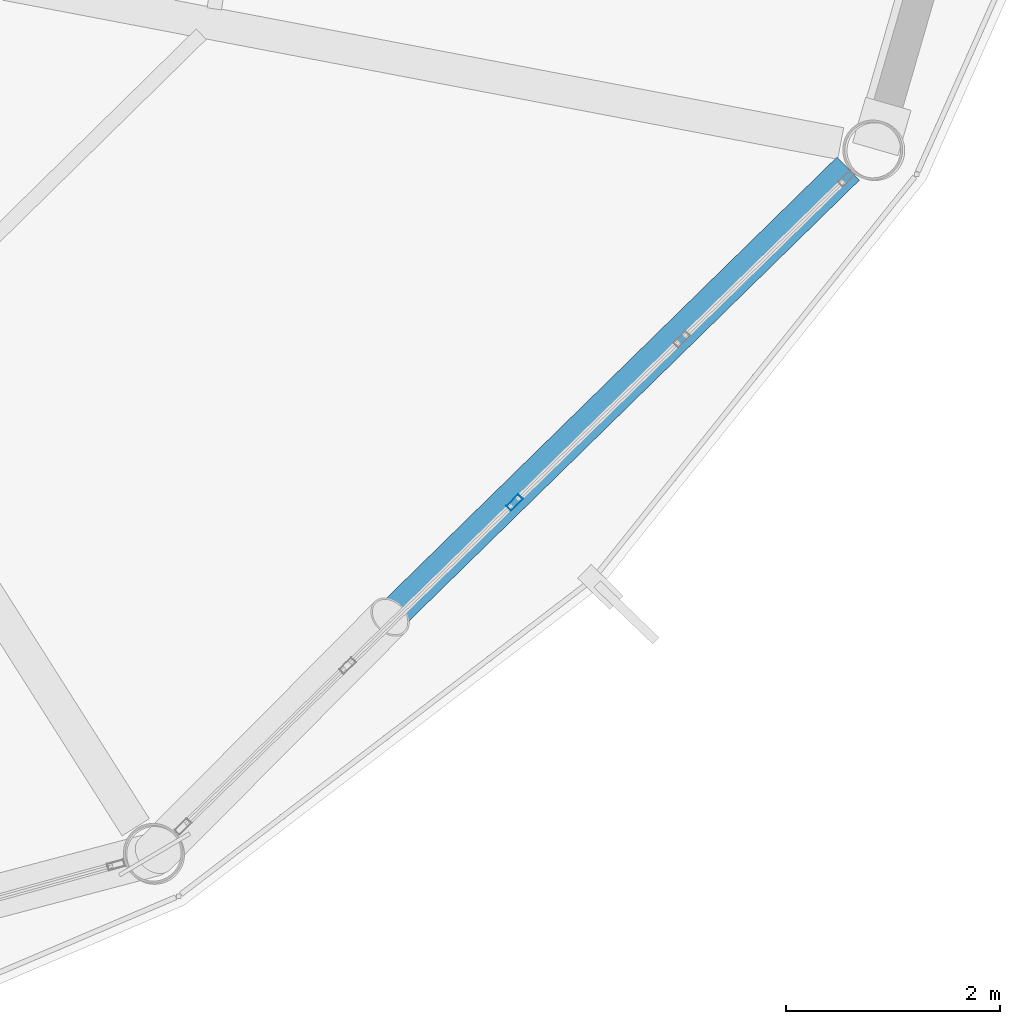
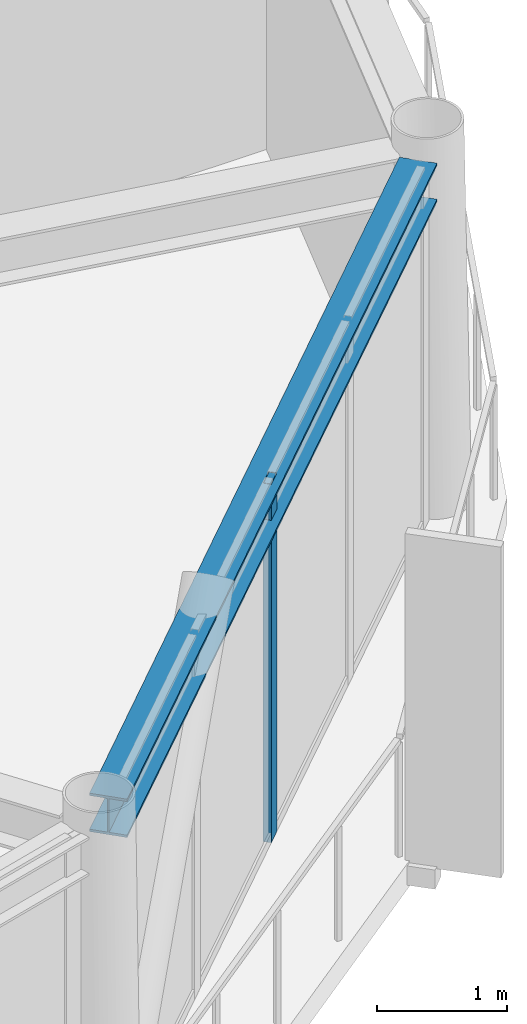
# One storey, part 9 of 27: 1 beam, 1 member, 1 element without a shape of its own.
"""IFC4 building model written with IfcOpenShell, lengths in metres."""

from ifc_helpers import new_model, si_unit, direction, frame, origin, origin_2d, place, context, subcontext, project, spatial, hollow_rectangle, i_section, extrude, material, layer, layer_set, material_profile, profile_set, type_object, element, aggregate, save


model = new_model("IFC4")

# Units and contexts
model_context = context("Model", 3, precision=1e-05, world=origin(), true_north=direction((0.0, 1.0)))
body_context = subcontext(model_context, "Body", "Model", "MODEL_VIEW")
ifc_project = project(units=[si_unit("LENGTHUNIT", "METRE"), si_unit("AREAUNIT", "SQUARE_METRE"), si_unit("VOLUMEUNIT", "CUBIC_METRE"), si_unit("PLANEANGLEUNIT", "RADIAN"), si_unit("MASSUNIT", "GRAM", prefix="KILO")], contexts=[model_context])

# Site, building, storey
site_placement = place(None, origin())
site = spatial("IfcSite", under=ifc_project, at=site_placement, CompositionType="ELEMENT")
building_placement = place(site_placement, origin())
building = spatial("IfcBuilding", under=site, at=building_placement, Name="Varnakorn Sky Granary", CompositionType="ELEMENT")
storey_placement = place(building_placement, frame((0.0, 0.0, 249.0)))
storey = spatial("IfcBuildingStorey", under=building, at=storey_placement, Name="L63", CompositionType="ELEMENT", Elevation=249.0)

# Beam
ifc_material_1 = material(Name="Steel S355JR", Category="steel")
ifc_material_profile_1 = material_profile(ifc_material_1, i_section(OverallWidth=0.300048828125, OverallDepth=0.360107421875, WebThickness=0.012451171875, FlangeThickness=0.0224609375, at=origin_2d()), Name="HE 360 B")
ifc_profile_set_1 = profile_set([ifc_material_profile_1], Name="Steel S355JR")
beam_type = type_object("IfcBeamType", Name="BM-SPD-Z5", PredefinedType="SPANDREL", material=ifc_profile_set_1)
beam_placement = place(storey_placement, frame((14.18505859375, -15.3203125, 3.179931640625), z_axis=(0.714633809089, 0.69949876262, 0.0), x_axis=(-0.69949876262, 0.714633809089, 0.0)))
element("IfcBeam", 1, at=beam_placement, inside=storey, type_object=beam_type, Name="Perimeter Spandrel Ring Beam RB11 L63", PredefinedType="SPANDREL", context=body_context, shape_type="SweptSolid", body=[
    extrude(i_section(OverallWidth=0.300048828125, OverallDepth=0.360107421875, WebThickness=0.012451171875, FlangeThickness=0.0224609375, at=origin_2d()), origin(), (0.0, 0.0, 1.0), 8.839599609375),
])

# Curtain wall, member
ifc_material_2 = material(Name="Anodised Bronze Aluminium Alloy 6063-T6", Category="aluminium")
ifc_layer = layer(ifc_material_2, 0.159912109375, Name="Anodised Bronze Aluminium Alloy 6063-T6")
ifc_layer_set = layer_set([ifc_layer], Name="Anodised Bronze Aluminium Alloy 6063-T6")
curtain_wall_type = type_object("IfcCurtainWallType", Name="CW-OFF-1", PredefinedType="USERDEFINED", material=ifc_layer_set)
curtain_wall_placement = place(storey_placement, origin())
curtain_wall = element("IfcCurtainWall", 2, at=curtain_wall_placement, inside=storey, type_object=curtain_wall_type, Name="Unitised Curtain Wall CW6 CW-L63-B11", ObjectType="CURTAIN WALL", PredefinedType="USERDEFINED")
ifc_material_profile_2 = material_profile(ifc_material_2, hollow_rectangle(XDim=0.06494140625, YDim=0.159912109375, WallThickness=0.00341796875, at=origin_2d()), Name="ALU MULL 65x160")
ifc_profile_set_2 = profile_set([ifc_material_profile_2], Name="Anodised Bronze Aluminium Alloy 6063-T6")
member_type = type_object("IfcMemberType", Name="CW-OFF-1-MULL", PredefinedType="MULLION", material=ifc_profile_set_2)
member_placement = place(storey_placement, frame((17.39013671875, -12.251953125, 0.0), z_axis=(0.0, 0.0, 1.0), x_axis=(0.698832913663, -0.71528494936, 0.0)))
member = element("IfcMember", 3, at=member_placement, type_object=member_type, Name="CW6 mullion 3", PredefinedType="MULLION", context=body_context, shape_type="SweptSolid", body=[
    extrude(hollow_rectangle(XDim=0.06494140625, YDim=0.159912109375, WallThickness=0.00341796875, at=origin_2d()), origin(), (0.0, 0.0, 1.0), 3.360107421875),
])
aggregate(curtain_wall, [member])

save(model, "model.ifc")
